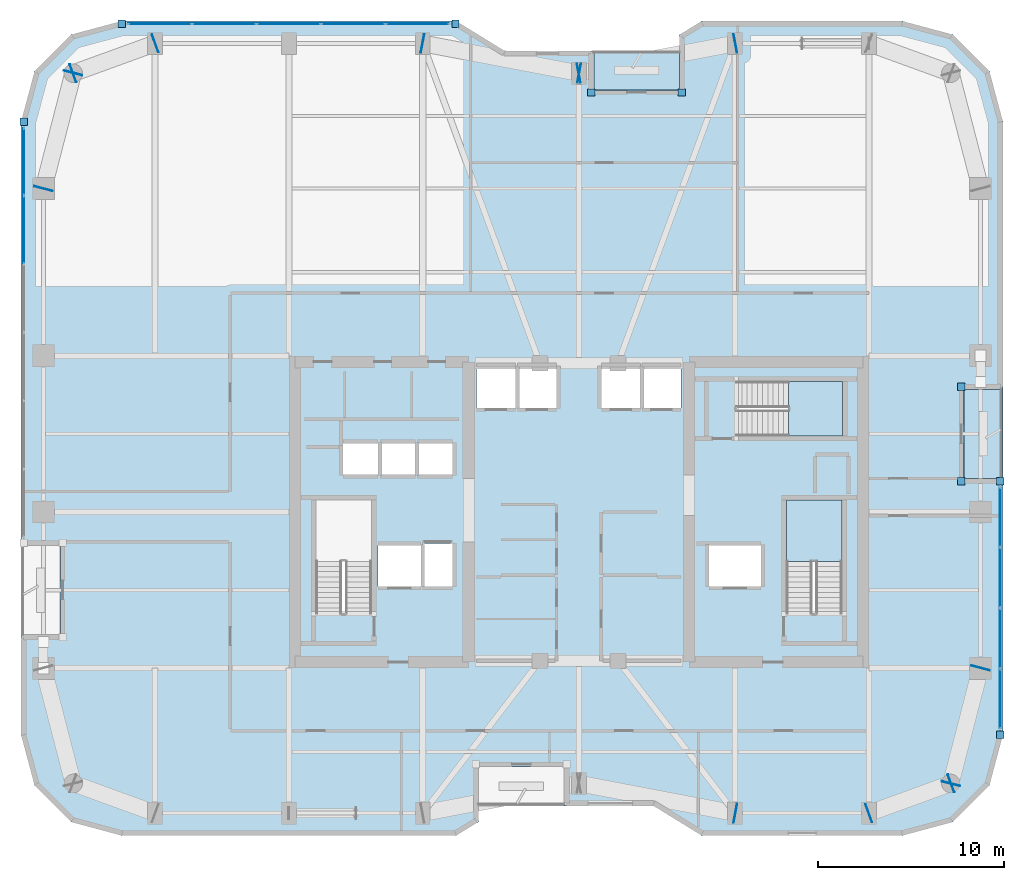
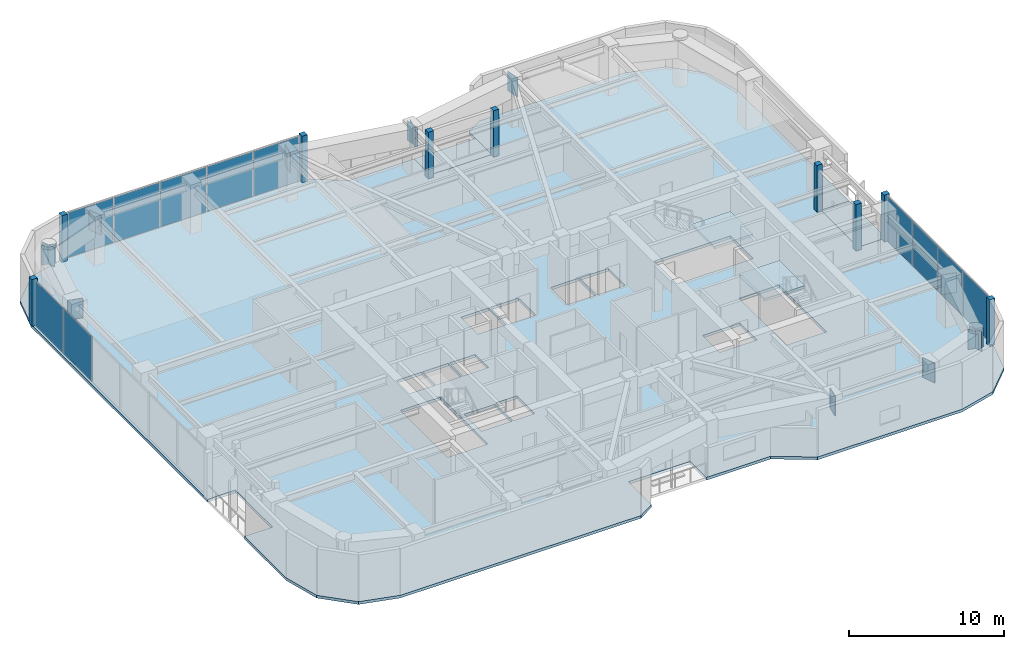
# One storey, part 22 of 30: 33 plates, 5 slabs, 5 elements without a shape of their own.
"""IFC4 building model written with IfcOpenShell, lengths in metres."""

from ifc_helpers import new_model, si_unit, direction, frame, origin, origin_2d, place, context, subcontext, project, spatial, polyline, rectangle, outline, extrude, material, layer, layer_set, type_object, element, aggregate, save


model = new_model("IFC4")

# Units and contexts
model_context = context("Model", 3, precision=1e-05, world=origin(), true_north=direction((0.0, 1.0)))
body_context = subcontext(model_context, "Body", "Model", "MODEL_VIEW")
ifc_project = project(units=[si_unit("LENGTHUNIT", "METRE"), si_unit("AREAUNIT", "SQUARE_METRE"), si_unit("VOLUMEUNIT", "CUBIC_METRE"), si_unit("PLANEANGLEUNIT", "RADIAN"), si_unit("MASSUNIT", "GRAM", prefix="KILO")], contexts=[model_context])

# Site, building, storey
site_placement = place(None, origin())
site = spatial("IfcSite", under=ifc_project, at=site_placement, CompositionType="ELEMENT")
building_placement = place(site_placement, origin())
building = spatial("IfcBuilding", under=site, at=building_placement, Name="Kiyonajd Concourse Tower", CompositionType="ELEMENT")
storey_placement = place(building_placement, frame((0.0, 0.0, 190.199951171875)))
storey = spatial("IfcBuildingStorey", under=building, at=storey_placement, Name="L48", CompositionType="ELEMENT", Elevation=190.199951171875)

# Plates
ifc_material_1 = material(Name="Steel ASTM A572 Grade 50", Category="steel")
ifc_layer_1 = layer(ifc_material_1, 0.031982421875)
ifc_layer_set_1 = layer_set([ifc_layer_1], Name="Steel ASTM A572 Grade 50")
plate_type_1 = type_object("IfcPlateType", Name="PL-CAP-540", PredefinedType="USERDEFINED", material=ifc_layer_set_1)
for number, where, z_axis, x_axis, name in (
    (1, (56.410888671875, 19.7978515625, 2.2099609375), (0.0, 0.0, 1.0), (0.982352599301, -0.187038420242, 0.0), "L48 Welded Box Girder End Cap"),
    (2, (63.589599609375, 19.796142578125, 2.2099609375), (0.0, 0.0, 1.0), (-0.939811951086, -0.341692107891, 0.0), "L48 Welded Box Girder End Cap"),
    (3, (68.01025390625, 21.40380859375, 2.2099609375), (0.0, 0.0, 1.0), (0.939811951086, 0.341692107891, 0.0), "L48 Welded Box Girder End Cap"),
    (4, (67.997314453125, 21.389404296875, 2.2099609375), (0.0, 0.0, 1.0), (-0.249873048837, -0.968278606324, 0.0), "L48 Welded Box Girder End Cap"),
    (5, (69.602783203125, 27.610595703125, 2.2099609375), (0.0, 0.0, 1.0), (0.249873048837, 0.968278606324, 0.0), "L48 Welded Box Girder End Cap"),
    (6, (56.410888671875, 61.2021484375, 2.2099609375), (0.0, 0.0, 1.0), (0.982352599301, 0.187038420242, 0.0), "L48 Welded Box Girder End Cap"),
    (7, (47.9892578125, 59.597900390625, 2.2099609375), (0.0, 0.0, 1.0), (-0.982352599301, -0.187038420242, 0.0), "L48 Welded Box Girder End Cap"),
    (8, (48.0107421875, 59.597900390625, 2.2099609375), (0.0, 0.0, 1.0), (0.982352599301, -0.187038420242, 0.0), "L48 Welded Box Girder End Cap"),
    (9, (39.589111328125, 61.2021484375, 2.2099609375), (0.0, 0.0, 1.0), (-0.982352599301, 0.187038420242, 0.0), "L48 Welded Box Girder End Cap"),
    (10, (25.210205078125, 61.203857421875, 2.2099609375), (0.0, 0.0, 1.0), (0.939811951086, 0.341692107891, 0.0), "L48 Welded Box Girder End Cap"),
    (11, (20.789794921875, 59.59619140625, 2.2099609375), (0.0, 0.0, 1.0), (-0.939811951086, -0.341692107891, 0.0), "L48 Welded Box Girder End Cap"),
    (12, (20.802734375, 59.610595703125, 2.2099609375), (0.0, 0.0, 1.0), (0.249873048837, 0.968278606324, 0.0), "L48 Welded Box Girder End Cap"),
    (13, (19.197265625, 53.389404296875, 2.2099609375), (0.0, 0.0, 1.0), (-0.249873048837, -0.968278606324, 0.0), "L48 Welded Box Girder End Cap"),
):
    element("IfcPlate", number, at=place(storey_placement, frame(where, z_axis=z_axis, x_axis=x_axis)), inside=storey, type_object=plate_type_1, Name=name, ObjectType="CAP PLATE", PredefinedType="USERDEFINED", context=body_context, shape_type="SweptSolid", body=[
        extrude(rectangle(XDim=0.035888671875, YDim=1.02001953125, at=origin_2d()), origin(), (0.0, 0.0, 1.0), 1.5400390625),
    ])

# Curtain wall, plates
ifc_material_2 = material(Name="Thermally Broken Anodised Aluminium", Category="aluminium")
ifc_layer_2 = layer(ifc_material_2, 0.179931640625)
ifc_layer_set_2 = layer_set([ifc_layer_2], Name="Thermally Broken Anodised Aluminium")
curtain_wall_type = type_object("IfcCurtainWallType", Name="CW-SYS-03", PredefinedType="NOTDEFINED", material=ifc_layer_set_2)
curtain_wall_1_placement = place(storey_placement, origin())
curtain_wall_1 = element("IfcCurtainWall", 14, at=curtain_wall_1_placement, inside=storey, type_object=curtain_wall_type, Name="L48 Unitised Curtain Wall CW3", PredefinedType="NOTDEFINED")
ifc_material_3 = material(Name="Double Low-E Insulated Glass", Category="glass")
ifc_layer_3 = layer(ifc_material_3, 0.033935546875)
ifc_layer_set_3 = layer_set([ifc_layer_3], Name="Double Low-E Insulated Glass")
plate_type_2 = type_object("IfcPlateType", Name="PL-CW-VIS34", PredefinedType="CURTAIN_PANEL", material=ifc_layer_set_3)
plate_1_placement = place(storey_placement, frame((18.139892578125, 51.17626953125, 0.06494140625), z_axis=(0.0, 0.0, 1.0), x_axis=(0.0, 1.0, 0.0)))
plate_1 = element("IfcPlate", 15, at=plate_1_placement, type_object=plate_type_2, Name="CW3 panel 5.1", PredefinedType="CURTAIN_PANEL", context=body_context, shape_type="SweptSolid", body=[
    extrude(rectangle(XDim=3.61181640625, YDim=0.033935546875, at=origin_2d()), origin(), (0.0, 0.0, 1.0), 3.550048828125),
])
plate_2_placement = place(storey_placement, frame((18.139892578125, 54.8369140625, 0.06494140625), z_axis=(0.0, 0.0, 1.0), x_axis=(0.0, 1.0, 0.0)))
plate_2 = element("IfcPlate", 16, at=plate_2_placement, type_object=plate_type_2, Name="CW3 panel 6.1", PredefinedType="CURTAIN_PANEL", context=body_context, shape_type="SweptSolid", body=[
    extrude(rectangle(XDim=3.579345703125, YDim=0.033935546875, at=origin_2d()), origin(), (0.0, 0.0, 1.0), 3.550048828125),
])
aggregate(curtain_wall_1, [plate_1, plate_2])

curtain_wall_2_placement = place(storey_placement, origin())
curtain_wall_2 = element("IfcCurtainWall", 17, at=curtain_wall_2_placement, inside=storey, type_object=curtain_wall_type, Name="L48 Unitised Curtain Wall CW3", PredefinedType="NOTDEFINED")
plate_3_placement = place(storey_placement, frame((25.4609375, 62.260009765625, 0.06494140625), z_axis=(0.0, 0.0, 1.0), x_axis=(1.0, 0.0, 0.0)))
plate_3 = element("IfcPlate", 18, at=plate_3_placement, type_object=plate_type_2, Name="CW3 panel 1.1", PredefinedType="CURTAIN_PANEL", context=body_context, shape_type="SweptSolid", body=[
    extrude(rectangle(XDim=3.375, YDim=0.033935546875, at=origin_2d()), origin(), (0.0, 0.0, 1.0), 3.550048828125),
])
plate_4_placement = place(storey_placement, frame((28.9169921875, 62.260009765625, 0.06494140625), z_axis=(0.0, 0.0, 1.0), x_axis=(1.0, 0.0, 0.0)))
plate_4 = element("IfcPlate", 19, at=plate_4_placement, type_object=plate_type_2, Name="CW3 panel 2.1", PredefinedType="CURTAIN_PANEL", context=body_context, shape_type="SweptSolid", body=[
    extrude(rectangle(XDim=3.407470703125, YDim=0.033935546875, at=origin_2d()), origin(), (0.0, 0.0, 1.0), 3.550048828125),
])
plate_5_placement = place(storey_placement, frame((32.389404296875, 62.260009765625, 0.06494140625), z_axis=(0.0, 0.0, 1.0), x_axis=(1.0, 0.0, 0.0)))
plate_5 = element("IfcPlate", 20, at=plate_5_placement, type_object=plate_type_2, Name="CW3 panel 3.1", PredefinedType="CURTAIN_PANEL", context=body_context, shape_type="SweptSolid", body=[
    extrude(rectangle(XDim=3.407470703125, YDim=0.033935546875, at=origin_2d()), origin(), (0.0, 0.0, 1.0), 3.550048828125),
])
plate_6_placement = place(storey_placement, frame((35.86181640625, 62.260009765625, 0.06494140625), z_axis=(0.0, 0.0, 1.0), x_axis=(1.0, 0.0, 0.0)))
plate_6 = element("IfcPlate", 21, at=plate_6_placement, type_object=plate_type_2, Name="CW3 panel 4.1", PredefinedType="CURTAIN_PANEL", context=body_context, shape_type="SweptSolid", body=[
    extrude(rectangle(XDim=3.407470703125, YDim=0.033935546875, at=origin_2d()), origin(), (0.0, 0.0, 1.0), 3.550048828125),
])
plate_7_placement = place(storey_placement, frame((39.31787109375, 62.260009765625, 0.06494140625), z_axis=(0.0, 0.0, 1.0), x_axis=(1.0, 0.0, 0.0)))
plate_7 = element("IfcPlate", 22, at=plate_7_placement, type_object=plate_type_2, Name="CW3 panel 5.1", PredefinedType="CURTAIN_PANEL", context=body_context, shape_type="SweptSolid", body=[
    extrude(rectangle(XDim=3.375, YDim=0.033935546875, at=origin_2d()), origin(), (0.0, 0.0, 1.0), 3.550048828125),
])
aggregate(curtain_wall_2, [plate_3, plate_4, plate_5, plate_6, plate_7])

curtain_wall_3_placement = place(storey_placement, origin())
curtain_wall_3 = element("IfcCurtainWall", 23, at=curtain_wall_3_placement, inside=storey, type_object=curtain_wall_type, Name="L48 Unitised Curtain Wall CW3", PredefinedType="NOTDEFINED")
plate_8_placement = place(storey_placement, frame((70.659912109375, 35.720947265625, 0.06494140625), z_axis=(0.0, 0.0, 1.0), x_axis=(0.0, -1.0, 0.0)))
plate_8 = element("IfcPlate", 24, at=plate_8_placement, type_object=plate_type_2, Name="CW3 panel 1.1", PredefinedType="CURTAIN_PANEL", context=body_context, shape_type="SweptSolid", body=[
    extrude(rectangle(XDim=3.16796875, YDim=0.033935546875, at=origin_2d()), origin(), (0.0, 0.0, 1.0), 3.550048828125),
])
plate_9_placement = place(storey_placement, frame((70.659912109375, 32.471923828125, 0.06494140625), z_axis=(0.0, 0.0, 1.0), x_axis=(0.0, -1.0, 0.0)))
plate_9 = element("IfcPlate", 25, at=plate_9_placement, type_object=plate_type_2, Name="CW3 panel 2.1", PredefinedType="CURTAIN_PANEL", context=body_context, shape_type="SweptSolid", body=[
    extrude(rectangle(XDim=3.200439453125, YDim=0.033935546875, at=origin_2d()), origin(), (0.0, 0.0, 1.0), 3.550048828125),
])
plate_10_placement = place(storey_placement, frame((70.659912109375, 29.20654296875, 0.06494140625), z_axis=(0.0, 0.0, 1.0), x_axis=(0.0, -1.0, 0.0)))
plate_10 = element("IfcPlate", 26, at=plate_10_placement, type_object=plate_type_2, Name="CW3 panel 3.1", PredefinedType="CURTAIN_PANEL", context=body_context, shape_type="SweptSolid", body=[
    extrude(rectangle(XDim=3.200439453125, YDim=0.033935546875, at=origin_2d()), origin(), (0.0, 0.0, 1.0), 3.550048828125),
])
plate_11_placement = place(storey_placement, frame((70.659912109375, 25.957275390625, 0.06494140625), z_axis=(0.0, 0.0, 1.0), x_axis=(0.0, -1.0, 0.0)))
plate_11 = element("IfcPlate", 27, at=plate_11_placement, type_object=plate_type_2, Name="CW3 panel 4.1", PredefinedType="CURTAIN_PANEL", context=body_context, shape_type="SweptSolid", body=[
    extrude(rectangle(XDim=3.16796875, YDim=0.033935546875, at=origin_2d()), origin(), (0.0, 0.0, 1.0), 3.550048828125),
])
aggregate(curtain_wall_3, [plate_8, plate_9, plate_10, plate_11])

# Plates
ifc_layer_4 = layer(ifc_material_2, 0.39990234375)
ifc_layer_set_4 = layer_set([ifc_layer_4], Name="Thermally Broken Anodised Aluminium")
plate_type_3 = type_object("IfcPlateType", Name="PL-JMB-400", PredefinedType="USERDEFINED", material=ifc_layer_set_4)
for number, where, z_axis, x_axis, name in (
    (28, (18.139892578125, 56.981689453125, 0.0), (0.0, 0.0, 1.0), (1.0, 0.0, 0.0), "L48 Facade Jamb Closure Plate 04"),
    (29, (23.41845703125, 62.260009765625, 0.0), (0.0, 0.0, 1.0), (1.0, 0.0, 0.0), "L48 Facade Jamb Closure Plate 05"),
    (30, (41.3603515625, 62.260009765625, 0.0), (0.0, 0.0, 1.0), (1.0, 0.0, 0.0), "L48 Facade Jamb Closure Plate 06"),
    (31, (48.659912109375, 58.56005859375, 0.0), (0.0, 0.0, 1.0), (1.0, 0.0, 0.0), "L48 Facade Jamb Closure Plate 07"),
    (32, (53.5400390625, 58.56005859375, 0.0), (0.0, 0.0, 1.0), (1.0, 0.0, 0.0), "L48 Facade Jamb Closure Plate 08"),
    (33, (68.56005859375, 42.739990234375, 0.0), (0.0, 0.0, 1.0), (1.0, 0.0, 0.0), "L48 Facade Jamb Closure Plate 09"),
    (34, (68.56005859375, 37.659912109375, 0.0), (0.0, 0.0, 1.0), (1.0, 0.0, 0.0), "L48 Facade Jamb Closure Plate 10"),
    (35, (70.659912109375, 37.659912109375, 0.0), (0.0, 0.0, 1.0), (1.0, 0.0, 0.0), "L48 Facade Jamb Closure Plate 11"),
    (36, (70.659912109375, 24.018310546875, 0.0), (0.0, 0.0, 1.0), (1.0, 0.0, 0.0), "L48 Facade Jamb Closure Plate 12"),
):
    element("IfcPlate", number, at=place(storey_placement, frame(where, z_axis=z_axis, x_axis=x_axis)), inside=storey, type_object=plate_type_3, Name=name, ObjectType="JAMB PLATE", PredefinedType="USERDEFINED", context=body_context, shape_type="SweptSolid", body=[
        extrude(rectangle(XDim=0.39990234375, YDim=0.39990234375, at=origin_2d()), origin(), (0.0, 0.0, 1.0), 3.679931640625),
    ])

# Stair, slab
ifc_material_4 = material(Name="Concrete C40/50", Category="concrete")
stair_type = type_object("IfcStairType", Name="ST-DLG-22R", PredefinedType="HALF_TURN_STAIR", material=ifc_material_4)
stair_1_placement = place(storey_placement, origin())
stair_1 = element("IfcStair", 37, at=stair_1_placement, inside=storey, type_object=stair_type, Name="L48 Protected Exit Stair ST2", PredefinedType="HALF_TURN_STAIR")
ifc_layer_5 = layer(ifc_material_4, 0.199951171875)
ifc_layer_set_5 = layer_set([ifc_layer_5], Name="Concrete C40/50")
slab_type_1 = type_object("IfcSlabType", Name="SL-LND-200", PredefinedType="LANDING", material=ifc_layer_set_5)
slab_1_placement = place(storey_placement, frame((0.0, 0.0, 1.75)))
slab_1 = element("IfcSlab", 38, at=slab_1_placement, type_object=slab_type_1, Name="ST2 landing 1", PredefinedType="LANDING", context=body_context, shape_type="SweptSolid", body=[
    extrude(outline(polyline([(62.14990234375, 33.35009765625), (62.14990234375, 36.64990234375), (59.14990234375, 36.64990234375), (59.14990234375, 33.35009765625), (62.14990234375, 33.35009765625)])), origin(), (0.0, 0.0, 1.0), 0.199951171875),
])
aggregate(stair_1, [slab_1])

stair_2_placement = place(storey_placement, origin())
stair_2 = element("IfcStair", 39, at=stair_2_placement, inside=storey, type_object=stair_type, Name="L48 Protected Exit Stair ST3", PredefinedType="HALF_TURN_STAIR")
slab_2_placement = place(storey_placement, frame((0.0, 0.0, 1.75)))
slab_2 = element("IfcSlab", 40, at=slab_2_placement, type_object=slab_type_1, Name="ST3 landing 1", PredefinedType="LANDING", context=body_context, shape_type="SweptSolid", body=[
    extrude(outline(polyline([(59.280029296875, 40.080078125), (62.179931640625, 40.080078125), (62.179931640625, 43.02001953125), (59.280029296875, 43.02001953125), (59.280029296875, 40.080078125)])), origin(), (0.0, 0.0, 1.0), 0.199951171875),
])
aggregate(stair_2, [slab_2])

# Slabs
ifc_material_5 = material(Name="Precast concrete C50/60", Category="concrete")
ifc_layer_6 = layer(ifc_material_5, 0.199951171875)
ifc_layer_set_6 = layer_set([ifc_layer_6], Name="Precast concrete C50/60")
slab_type_2 = type_object("IfcSlabType", Name="SL-LOG-200", PredefinedType="FLOOR", material=ifc_layer_set_6)
slab_3_placement = place(storey_placement, frame((0.0, 0.0, -0.199951171875)))
element("IfcSlab", 41, at=slab_3_placement, inside=storey, type_object=slab_type_2, Name="L48 Recessed Engawa Loggia Terrace Slab LOG-N", PredefinedType="FLOOR", context=body_context, shape_type="SweptSolid", body=[
    extrude(outline(polyline([(48.800048828125, 58.699951171875), (53.39990234375, 58.699951171875), (53.39990234375, 60.800048828125), (48.800048828125, 60.800048828125), (48.800048828125, 58.699951171875)])), origin(), (0.0, 0.0, 1.0), 0.199951171875),
])
slab_4_placement = place(storey_placement, frame((0.0, 0.0, -0.199951171875)))
element("IfcSlab", 42, at=slab_4_placement, inside=storey, type_object=slab_type_2, Name="L48 Recessed Engawa Loggia Terrace Slab LOG-E", PredefinedType="FLOOR", context=body_context, shape_type="SweptSolid", body=[
    extrude(outline(polyline([(68.699951171875, 37.800048828125), (70.800048828125, 37.800048828125), (70.800048828125, 42.60009765625), (68.699951171875, 42.60009765625), (68.699951171875, 37.800048828125)])), origin(), (0.0, 0.0, 1.0), 0.199951171875),
])
ifc_layer_7 = layer(ifc_material_4, 0.219970703125)
ifc_layer_set_7 = layer_set([ifc_layer_7], Name="Concrete C40/50")
slab_type_3 = type_object("IfcSlabType", Name="SL-TWR-220", PredefinedType="FLOOR", material=ifc_layer_set_7)
slab_5_placement = place(storey_placement, frame((0.0, 0.0, -0.219970703125)))
element("IfcSlab", 43, at=slab_5_placement, inside=storey, type_object=slab_type_3, Name="L48 Tower Conditioned Floor Slab", PredefinedType="FLOOR", context=body_context, shape_type="SweptSolid", body=[
    extrude(outline(polyline([(18.722900390625, 21.300048828125), (18.0, 24.0), (18.0, 29.39990234375), (20.10009765625, 29.39990234375), (20.10009765625, 34.199951171875), (18.0, 34.199951171875), (18.0, 57.0), (18.722900390625, 59.699951171875), (20.699951171875, 61.677001953125), (23.39990234375, 62.39990234375), (41.39990234375, 62.39990234375), (44.0, 60.800048828125), (48.800048828125, 60.800048828125), (48.800048828125, 58.699951171875), (53.39990234375, 58.699951171875), (53.39990234375, 61.662109375), (54.60009765625, 62.39990234375), (65.39990234375, 62.39990234375), (68.10009765625, 61.677001953125), (70.076904296875, 59.699951171875), (70.800048828125, 57.0), (70.800048828125, 42.60009765625), (68.699951171875, 42.60009765625), (68.699951171875, 37.800048828125), (70.800048828125, 37.800048828125), (70.800048828125, 24.0), (70.076904296875, 21.300048828125), (68.10009765625, 19.322998046875), (65.39990234375, 18.60009765625), (54.60009765625, 18.60009765625), (52.0, 20.199951171875), (47.199951171875, 20.199951171875), (47.199951171875, 22.300048828125), (42.60009765625, 22.300048828125), (42.60009765625, 19.337890625), (41.39990234375, 18.60009765625), (23.39990234375, 18.60009765625), (20.699951171875, 19.322998046875), (18.722900390625, 21.300048828125)]), holes=[polyline([(39.5, 32.0), (37.199951171875, 32.0), (37.199951171875, 34.199951171875), (39.5, 34.199951171875), (39.5, 32.0)]), polyline([(39.60009765625, 32.0), (39.60009765625, 34.300048828125), (41.199951171875, 34.300048828125), (41.199951171875, 32.0), (39.60009765625, 32.0)]), polyline([(33.85009765625, 30.550048828125), (33.85009765625, 36.64990234375), (36.85009765625, 36.64990234375), (36.85009765625, 30.550048828125), (33.85009765625, 30.550048828125)]), polyline([(37.199951171875, 38.0), (35.300048828125, 38.0), (35.300048828125, 39.699951171875), (37.199951171875, 39.699951171875), (37.199951171875, 38.0)]), polyline([(37.300048828125, 38.0), (37.300048828125, 39.699951171875), (39.199951171875, 39.699951171875), (39.199951171875, 38.0), (37.300048828125, 38.0)]), polyline([(39.300048828125, 38.0), (39.300048828125, 39.699951171875), (41.199951171875, 39.699951171875), (41.199951171875, 38.0), (39.300048828125, 38.0)]), polyline([(44.60009765625, 41.60009765625), (42.5, 41.60009765625), (42.5, 43.800048828125), (44.60009765625, 43.800048828125), (44.60009765625, 41.60009765625)]), polyline([(55.0, 32.0), (55.0, 34.199951171875), (57.800048828125, 34.199951171875), (57.800048828125, 32.0), (55.0, 32.0)]), polyline([(59.14990234375, 30.550048828125), (59.14990234375, 36.64990234375), (62.14990234375, 36.64990234375), (62.14990234375, 30.550048828125), (59.14990234375, 30.550048828125)]), polyline([(56.47998046875, 43.02001953125), (62.179931640625, 43.02001953125), (62.179931640625, 40.080078125), (56.47998046875, 40.080078125), (56.47998046875, 43.02001953125)]), polyline([(44.699951171875, 41.60009765625), (44.699951171875, 43.800048828125), (46.800048828125, 43.800048828125), (46.800048828125, 41.60009765625), (44.699951171875, 41.60009765625)]), polyline([(49.199951171875, 41.60009765625), (49.199951171875, 43.800048828125), (51.300048828125, 43.800048828125), (51.300048828125, 41.60009765625), (49.199951171875, 41.60009765625)]), polyline([(51.39990234375, 41.60009765625), (51.39990234375, 43.800048828125), (53.5, 43.800048828125), (53.5, 41.60009765625), (51.39990234375, 41.60009765625)])]), origin(), (0.0, 0.0, 1.0), 0.219970703125),
])

save(model, "model.ifc")
